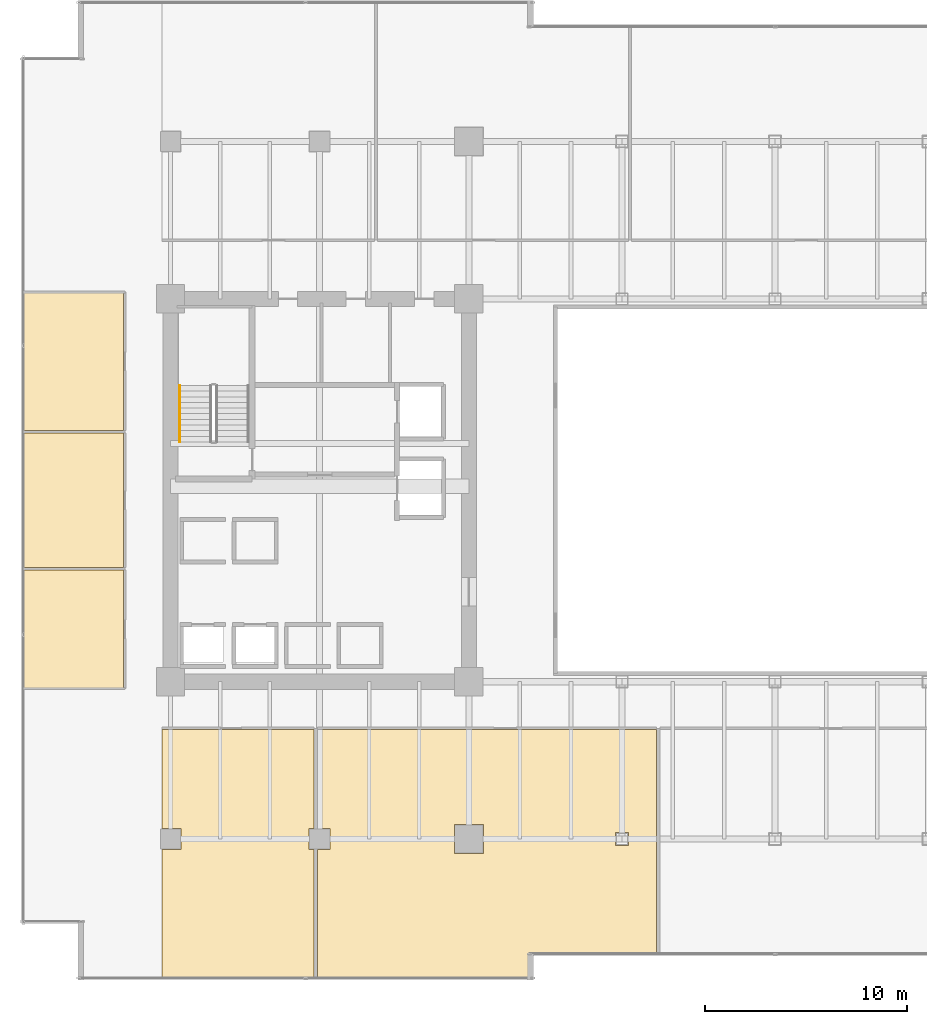
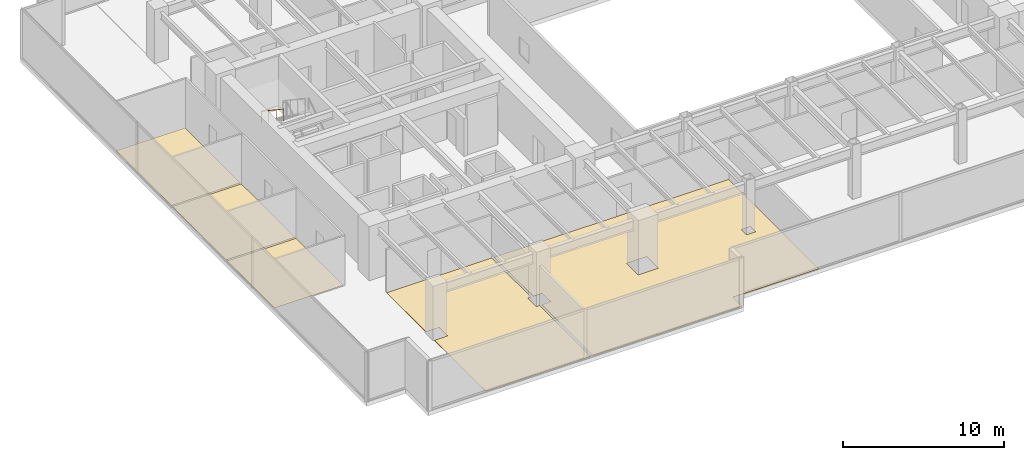
# One storey, part 34 of 37: 5 coverings, 1 railing.
"""IFC4 building model written with IfcOpenShell, lengths in metres."""

from ifc_helpers import new_model, si_unit, direction, frame, origin, origin_2d, place, context, subcontext, project, spatial, polyline, circle, outline, extrude, source, transform, mapped, material, layer, layer_set, type_object, type_shapes, element, save


model = new_model("IFC4")

# Units and contexts
model_context = context("Model", 3, precision=1e-05, world=origin(), true_north=direction((0.0, 1.0)))
body_context = subcontext(model_context, "Body", "Model", "MODEL_VIEW")
ifc_project = project(units=[si_unit("LENGTHUNIT", "METRE"), si_unit("AREAUNIT", "SQUARE_METRE"), si_unit("VOLUMEUNIT", "CUBIC_METRE"), si_unit("PLANEANGLEUNIT", "RADIAN"), si_unit("MASSUNIT", "GRAM", prefix="KILO")], contexts=[model_context])

# Site, building, storey
site_placement = place(None, origin())
site = spatial("IfcSite", under=ifc_project, at=site_placement, CompositionType="ELEMENT")
building_placement = place(site_placement, origin())
building = spatial("IfcBuilding", under=site, at=building_placement, Name="Haelvirn Gate Laboratories", CompositionType="ELEMENT")
storey_placement = place(building_placement, frame((0.0, 0.0, 78.5)))
storey = spatial("IfcBuildingStorey", under=building, at=storey_placement, Name="L19", CompositionType="ELEMENT", Elevation=78.5)

# Coverings
ifc_material_1 = material(Name="Seamless chemical-resistant epoxy laboratory flooring")
ifc_layer = layer(ifc_material_1, 0.01806640625, Name="COV-FLR-RESIN")
ifc_layer_set = layer_set([ifc_layer], Name="Seamless chemical-resistant epoxy laboratory flooring")
covering_type = type_object("IfcCoveringType", Name="COV-FLR-RESIN", PredefinedType="FLOORING", material=ifc_layer_set)
covering_1_placement = place(storey_placement, origin())
element("IfcCovering", 1, at=covering_1_placement, inside=storey, type_object=covering_type, Name="L19 Seamless Laboratory Flooring FLR-SP-L19-S-01", PredefinedType="FLOORING", context=body_context, shape_type="SweptSolid", body=[
    extrude(outline(polyline([(14.52001953125, 7.52001953125), (14.280029296875, 7.52001953125), (14.280029296875, 6.47998046875), (14.52001953125, 6.47998046875), (14.52001953125, 0.110107421875), (6.97998046875, 0.110107421875), (6.97998046875, 6.47998046875), (7.919921875, 6.47998046875), (7.919921875, 7.52001953125), (6.97998046875, 7.52001953125), (6.97998046875, 12.419921875), (14.52001953125, 12.419921875), (14.52001953125, 7.52001953125)])), origin(), (0.0, 0.0, 1.0), 0.01806640625),
])
covering_2_placement = place(storey_placement, origin())
element("IfcCovering", 2, at=covering_2_placement, inside=storey, type_object=covering_type, Name="L19 Seamless Laboratory Flooring FLR-SP-L19-S-02", PredefinedType="FLOORING", context=body_context, shape_type="SweptSolid", body=[
    extrude(outline(polyline([(14.679931640625, 7.52001953125), (14.679931640625, 12.419921875), (31.52001953125, 12.419921875), (31.52001953125, 1.239990234375), (25.39990234375, 1.239990234375), (25.39599609375, 1.23974609375), (25.39208984375, 1.2392578125), (25.388427734375, 1.23828125), (25.384765625, 1.237060546875), (25.381103515625, 1.2353515625), (25.377685546875, 1.2333984375), (25.37451171875, 1.23095703125), (25.37158203125, 1.228271484375), (25.369140625, 1.225341796875), (25.36669921875, 1.22216796875), (25.36474609375, 1.218994140625), (25.363037109375, 1.21533203125), (25.36181640625, 1.211669921875), (25.36083984375, 1.207763671875), (25.360107421875, 1.203857421875), (25.360107421875, 1.199951171875), (25.360107421875, 0.110107421875), (14.679931640625, 0.110107421875), (14.679931640625, 6.47998046875), (15.320068359375, 6.47998046875), (15.320068359375, 7.52001953125), (14.679931640625, 7.52001953125)]), holes=[polyline([(21.47998046875, 6.280029296875), (22.919921875, 6.280029296875), (22.919921875, 7.719970703125), (21.47998046875, 7.719970703125), (21.47998046875, 6.280029296875)]), polyline([(29.47998046875, 7.320068359375), (29.47998046875, 6.679931640625), (30.1201171875, 6.679931640625), (30.1201171875, 7.320068359375), (29.47998046875, 7.320068359375)])]), origin(), (0.0, 0.0, 1.0), 0.01806640625),
])
covering_3_placement = place(storey_placement, origin())
element("IfcCovering", 3, at=covering_3_placement, inside=storey, type_object=covering_type, Name="L19 Seamless Laboratory Flooring FLR-SP-L19-WCELL-01", PredefinedType="FLOORING", context=body_context, shape_type="SweptSolid", body=[
    extrude(outline(polyline([(0.110107421875, 20.340087890625), (5.06005859375, 20.340087890625), (5.06005859375, 14.465087890625), (0.110107421875, 14.465087890625), (0.110107421875, 20.340087890625)])), origin(), (0.0, 0.0, 1.0), 0.01806640625),
])
covering_4_placement = place(storey_placement, origin())
element("IfcCovering", 4, at=covering_4_placement, inside=storey, type_object=covering_type, Name="L19 Seamless Laboratory Flooring FLR-SP-L19-WCELL-02", PredefinedType="FLOORING", context=body_context, shape_type="SweptSolid", body=[
    extrude(outline(polyline([(0.110107421875, 27.139892578125), (5.06005859375, 27.139892578125), (5.06005859375, 20.4599609375), (0.110107421875, 20.4599609375), (0.110107421875, 27.139892578125)])), origin(), (0.0, 0.0, 1.0), 0.01806640625),
])
covering_5_placement = place(storey_placement, origin())
element("IfcCovering", 5, at=covering_5_placement, inside=storey, type_object=covering_type, Name="L19 Seamless Laboratory Flooring FLR-SP-L19-WCELL-03", PredefinedType="FLOORING", context=body_context, shape_type="SweptSolid", body=[
    extrude(outline(polyline([(0.110107421875, 34.135009765625), (5.06005859375, 34.135009765625), (5.06005859375, 27.260009765625), (0.110107421875, 27.260009765625), (0.110107421875, 34.135009765625)])), origin(), (0.0, 0.0, 1.0), 0.01806640625),
])

# Railing
ifc_material_2 = material(Name="Brushed stainless steel 316L", Category="steel")
railing_type = type_object("IfcRailingType", Name="RL-HAND-920", PredefinedType="HANDRAIL", material=ifc_material_2)
shared_shape = source(origin(), body_context, "Body", "SweptSolid", [
    extrude(circle(Radius=0.02392578125, at=origin_2d()), frame((0.0, 0.0, 0.8759765625), z_axis=(0.0, -0.832452072856, 0.554097055034), x_axis=(1.0, 0.0, 0.0)), (0.0, 0.0, 1.0), 3.363525390625),
    extrude(circle(Radius=0.02099609375, at=origin_2d()), origin(), (0.0, 0.0, 1.0), 0.851806640625),
    extrude(circle(Radius=0.02099609375, at=origin_2d()), frame((0.0, -0.933349609375, 0.621337890625)), (0.0, 0.0, 1.0), 0.851806640625),
    extrude(circle(Radius=0.02099609375, at=origin_2d()), frame((0.0, -1.86669921875, 1.242431640625)), (0.0, 0.0, 1.0), 0.851806640625),
    extrude(circle(Radius=0.02099609375, at=origin_2d()), frame((0.0, -2.800048828125, 1.86376953125)), (0.0, 0.0, 1.0), 0.851806640625),
])
type_shapes(railing_type, [shared_shape])
railing_placement = place(storey_placement, frame((7.85009765625, 29.5, 2.236328125)))
element("IfcRailing", 6, at=railing_placement, inside=storey, type_object=railing_type, Name="L19 ST1 stair handrail 2", PredefinedType="HANDRAIL", context=body_context, shape_type="MappedRepresentation", body=[
    mapped(shared_shape, transform((0.0, 0.0, 0.0), scale=1.0)),
])

save(model, "model.ifc")
